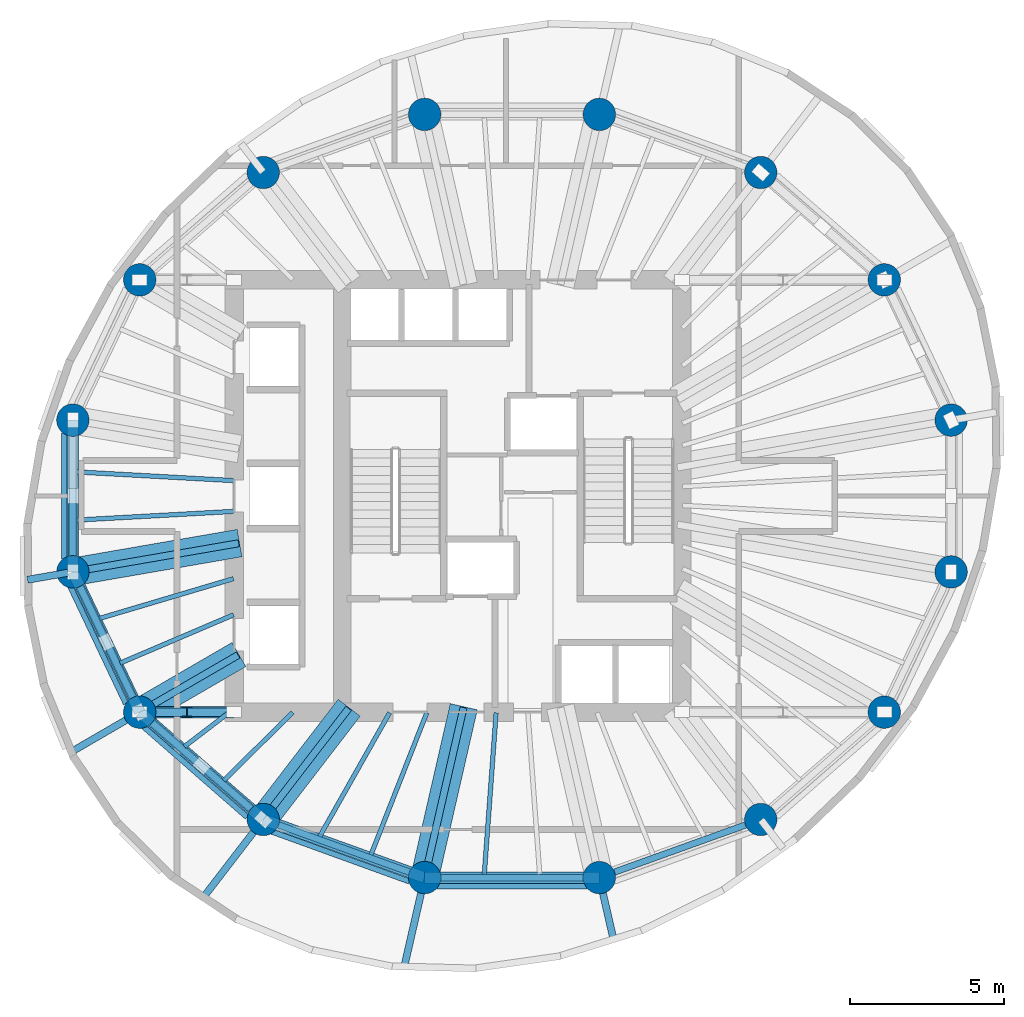
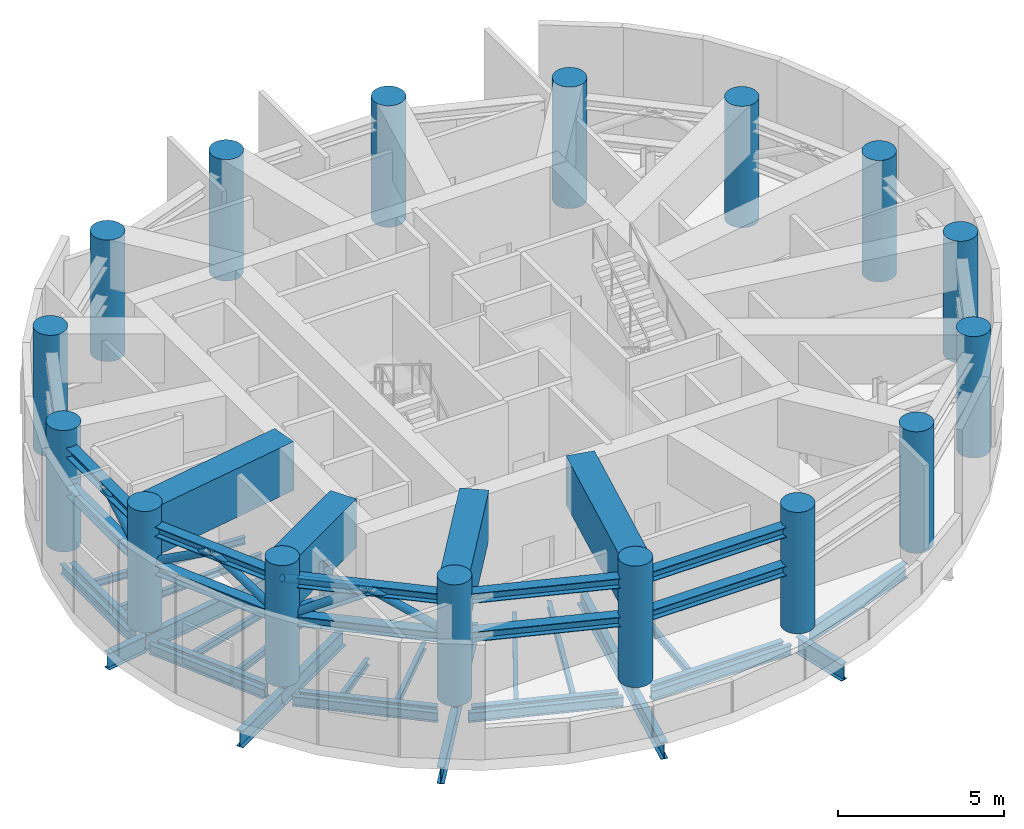
# One storey, part 1 of 8: 33 beams, 18 members, 16 columns.
"""IFC4 building model written with IfcOpenShell, lengths in metres."""

from ifc_helpers import new_model, si_unit, direction, frame, origin, origin_2d, place, context, subcontext, project, spatial, rectangle, circle, hollow_circle, i_section, extrude, material, material_profile, profile_set, type_object, element, save


model = new_model("IFC4")

# Units and contexts
model_context = context("Model", 3, precision=1e-05, world=origin(), true_north=direction((0.0, 1.0)))
body_context = subcontext(model_context, "Body", "Model", "MODEL_VIEW")
ifc_project = project(units=[si_unit("LENGTHUNIT", "METRE"), si_unit("AREAUNIT", "SQUARE_METRE"), si_unit("VOLUMEUNIT", "CUBIC_METRE"), si_unit("PLANEANGLEUNIT", "RADIAN"), si_unit("MASSUNIT", "GRAM", prefix="KILO")], contexts=[model_context])

# Site, building, storey
site_placement = place(None, origin())
site = spatial("IfcSite", under=ifc_project, at=site_placement, CompositionType="ELEMENT")
building_placement = place(site_placement, origin())
building = spatial("IfcBuilding", under=site, at=building_placement, Name="Veldorim Arch Residences", CompositionType="ELEMENT")
storey_placement = place(building_placement, frame((0.0, 0.0, 158.56005859375)))
storey = spatial("IfcBuildingStorey", under=building, at=storey_placement, Name="L47", CompositionType="ELEMENT", Elevation=158.56005859375)

# Columns
ifc_material_1 = material(Name="Concrete C50/60", Category="concrete")
ifc_material_profile_1 = material_profile(ifc_material_1, circle(Radius=0.52490234375, at=origin_2d()), Name="RC_CIRC_1050")
ifc_profile_set_1 = profile_set([ifc_material_profile_1], Name="Concrete C50/60")
column_type = type_object("IfcColumnType", Name="Structural Column RC_CIRC_1050", PredefinedType="COLUMN", material=ifc_profile_set_1)
for number, where, z_axis, x_axis, name in (
    (1, (46.221435546875, 26.4580078125, 0.0), (0.0, 0.0, 1.0), (1.0, 0.0, 0.0), "L47 TC-Z3-01 perimeter column"),
    (2, (44.056396484375, 31.000244140625, 0.0), (0.0, 0.0, 1.0), (1.0, 0.0, 0.0), "L47 TC-Z3-02 perimeter column"),
    (3, (40.055908203125, 34.4765625, 0.0), (0.0, 0.0, 1.0), (1.0, 0.0, 0.0), "L47 TC-Z3-03 perimeter column"),
    (4, (34.828857421875, 36.35791015625, 0.0), (0.0, 0.0, 1.0), (1.0, 0.0, 0.0), "L47 TC-Z3-04 perimeter column"),
    (5, (29.171142578125, 36.35791015625, 0.0), (0.0, 0.0, 1.0), (1.0, 0.0, 0.0), "L47 TC-Z3-05 perimeter column"),
    (6, (23.944091796875, 34.4765625, 0.0), (0.0, 0.0, 1.0), (1.0, 0.0, 0.0), "L47 TC-Z3-06 perimeter column"),
    (7, (19.943603515625, 31.000244140625, 0.0), (0.0, 0.0, 1.0), (1.0, 0.0, 0.0), "L47 TC-Z3-07 perimeter column"),
    (8, (17.778564453125, 26.4580078125, 0.0), (0.0, 0.0, 1.0), (1.0, 0.0, 0.0), "L47 TC-Z3-08 perimeter column"),
    (9, (17.778564453125, 21.5419921875, 0.0), (0.0, 0.0, 1.0), (1.0, 0.0, 0.0), "L47 TC-Z3-09 perimeter column"),
    (10, (19.943603515625, 16.999755859375, 0.0), (0.0, 0.0, 1.0), (1.0, 0.0, 0.0), "L47 TC-Z3-10 perimeter column"),
    (11, (23.944091796875, 13.5234375, 0.0), (0.0, 0.0, 1.0), (1.0, 0.0, 0.0), "L47 TC-Z3-11 perimeter column"),
    (12, (29.171142578125, 11.64208984375, 0.0), (0.0, 0.0, 1.0), (1.0, 0.0, 0.0), "L47 TC-Z3-12 perimeter column"),
    (13, (34.828857421875, 11.64208984375, 0.0), (0.0, 0.0, 1.0), (1.0, 0.0, 0.0), "L47 TC-Z3-13 perimeter column"),
    (14, (40.055908203125, 13.5234375, 0.0), (0.0, 0.0, 1.0), (1.0, 0.0, 0.0), "L47 TC-Z3-14 perimeter column"),
    (15, (44.056396484375, 16.999755859375, 0.0), (0.0, 0.0, 1.0), (1.0, 0.0, 0.0), "L47 TC-Z3-15 perimeter column"),
    (16, (46.221435546875, 21.5419921875, 0.0), (0.0, 0.0, 1.0), (1.0, 0.0, 0.0), "L47 TC-Z3-16 perimeter column"),
):
    element("IfcColumn", number, at=place(storey_placement, frame(where, z_axis=z_axis, x_axis=x_axis)), inside=storey, type_object=column_type, Name=name, PredefinedType="COLUMN", context=body_context, shape_type="SweptSolid", body=[
        extrude(circle(Radius=0.52490234375, at=origin_2d()), origin(), (0.0, 0.0, 1.0), 4.47998046875),
    ])

# Beams
ifc_material_2 = material(Name="Concrete C50/60", Category="concrete")
ifc_material_profile_2 = material_profile(ifc_material_2, rectangle(XDim=0.89990234375, YDim=1.800048828125, at=origin_2d()), Name="RC_RECT_900x1800")
ifc_profile_set_2 = profile_set([ifc_material_profile_2], Name="Concrete C50/60")
beam_type_1 = type_object("IfcBeamType", Name="Reinforced Concrete TRANSFER GIRDER RC_RECT_900x1800", PredefinedType="USERDEFINED", material=ifc_profile_set_2)
beam_1_placement = place(storey_placement, frame((23.177490234375, 22.47509765625, 3.579833984375), z_axis=(-0.985391085562, -0.170306806956, 0.0), x_axis=(0.170306806956, -0.985391085562, 0.0)))
element("IfcBeam", 17, at=beam_1_placement, inside=storey, type_object=beam_type_1, Name="L47 zone-setback radial transfer girder 09", ObjectType="TRANSFER GIRDER", PredefinedType="USERDEFINED", context=body_context, shape_type="SweptSolid", body=[
    extrude(rectangle(XDim=0.89990234375, YDim=1.800048828125, at=origin_2d()), origin(), (0.0, 0.0, 1.0), 5.47900390625),
])
beam_2_placement = place(storey_placement, frame((23.15576171875, 18.86474609375, 3.579833984375), z_axis=(-0.864804598535, -0.502108560326, 0.0), x_axis=(0.502108560326, -0.864804598535, 0.0)))
element("IfcBeam", 18, at=beam_2_placement, inside=storey, type_object=beam_type_1, Name="L47 zone-setback radial transfer girder 10", ObjectType="TRANSFER GIRDER", PredefinedType="USERDEFINED", context=body_context, shape_type="SweptSolid", body=[
    extrude(rectangle(XDim=0.89990234375, YDim=1.800048828125, at=origin_2d()), origin(), (0.0, 0.0, 1.0), 3.71435546875),
])
beam_3_placement = place(storey_placement, frame((26.72705078125, 17.142578125, 3.579833984375), z_axis=(-0.609573781427, -0.792729339054, 0.0), x_axis=(0.792729339054, -0.609573781427, 0.0)))
element("IfcBeam", 19, at=beam_3_placement, inside=storey, type_object=beam_type_1, Name="L47 zone-setback radial transfer girder 11", ObjectType="TRANSFER GIRDER", PredefinedType="USERDEFINED", context=body_context, shape_type="SweptSolid", body=[
    extrude(rectangle(XDim=0.89990234375, YDim=1.800048828125, at=origin_2d()), origin(), (0.0, 0.0, 1.0), 4.5654296875),
])
beam_4_placement = place(storey_placement, frame((30.43798828125, 17.175537109375, 3.579833984375), z_axis=(-0.223169286535, -0.974779703086, 0.0), x_axis=(0.974779703086, -0.223169286535, 0.0)))
element("IfcBeam", 20, at=beam_4_placement, inside=storey, type_object=beam_type_1, Name="L47 zone-setback radial transfer girder 12", ObjectType="TRANSFER GIRDER", PredefinedType="USERDEFINED", context=body_context, shape_type="SweptSolid", body=[
    extrude(rectangle(XDim=0.89990234375, YDim=1.800048828125, at=origin_2d()), origin(), (0.0, 0.0, 1.0), 5.676513671875),
])
ifc_material_3 = material(Name="Steel S355", Category="steel")
ifc_material_profile_3 = material_profile(ifc_material_3, i_section(OverallWidth=0.2099609375, OverallDepth=0.53662109375, WebThickness=0.0107421875, FlangeThickness=0.017333984375, at=origin_2d()), Name="UB533x210x101")
ifc_profile_set_3 = profile_set([ifc_material_profile_3], Name="Steel S355")
beam_type_2 = type_object("IfcBeamType", Name="Structural Steel Beam UB533x210x101", PredefinedType="BEAM", material=ifc_profile_set_3)
beam_5_placement = place(storey_placement, frame((17.778564453125, 25.93310546875, -0.66845703125), z_axis=(0.0, -1.0, 0.0), x_axis=(1.0, 0.0, 0.0)))
element("IfcBeam", 21, at=beam_5_placement, inside=storey, type_object=beam_type_2, Name="L47 perimeter ring tie beam 08", PredefinedType="BEAM", context=body_context, shape_type="SweptSolid", body=[
    extrude(i_section(OverallWidth=0.2099609375, OverallDepth=0.53662109375, WebThickness=0.0107421875, FlangeThickness=0.017333984375, at=origin_2d()), origin(), (0.0, 0.0, 1.0), 3.8662109375),
])
beam_6_placement = place(storey_placement, frame((18.00439453125, 21.068115234375, -0.66845703125), z_axis=(0.43028577851, -0.902692721147, 0.0), x_axis=(0.902692721147, 0.43028577851, 0.0)))
element("IfcBeam", 22, at=beam_6_placement, inside=storey, type_object=beam_type_2, Name="L47 perimeter ring tie beam 09", PredefinedType="BEAM", context=body_context, shape_type="SweptSolid", body=[
    extrude(i_section(OverallWidth=0.2099609375, OverallDepth=0.53662109375, WebThickness=0.0107421875, FlangeThickness=0.017333984375, at=origin_2d()), origin(), (0.0, 0.0, 1.0), 3.98193359375),
])
beam_7_placement = place(storey_placement, frame((20.340087890625, 16.655517578125, -0.66845703125), z_axis=(0.754810789581, -0.655942582802, 0.0), x_axis=(0.655942582802, 0.754810789581, 0.0)))
element("IfcBeam", 23, at=beam_7_placement, inside=storey, type_object=beam_type_2, Name="L47 perimeter ring tie beam 10", PredefinedType="BEAM", context=body_context, shape_type="SweptSolid", body=[
    extrude(i_section(OverallWidth=0.2099609375, OverallDepth=0.53662109375, WebThickness=0.0107421875, FlangeThickness=0.017333984375, at=origin_2d()), origin(), (0.0, 0.0, 1.0), 4.249755859375),
])
beam_8_placement = place(storey_placement, frame((24.438232421875, 13.345703125, -0.66845703125), z_axis=(0.940899155006, -0.338686846673, 0.0), x_axis=(0.338686846673, 0.940899155006, 0.0)))
element("IfcBeam", 24, at=beam_8_placement, inside=storey, type_object=beam_type_2, Name="L47 perimeter ring tie beam 11", PredefinedType="BEAM", context=body_context, shape_type="SweptSolid", body=[
    extrude(i_section(OverallWidth=0.2099609375, OverallDepth=0.53662109375, WebThickness=0.0107421875, FlangeThickness=0.017333984375, at=origin_2d()), origin(), (0.0, 0.0, 1.0), 4.50537109375),
])
beam_9_placement = place(storey_placement, frame((29.6962890625, 11.64208984375, -0.66845703125), z_axis=(1.0, 0.0, 0.0), x_axis=(0.0, 1.0, 0.0)))
element("IfcBeam", 25, at=beam_9_placement, inside=storey, type_object=beam_type_2, Name="L47 perimeter ring tie beam 12", PredefinedType="BEAM", context=body_context, shape_type="SweptSolid", body=[
    extrude(i_section(OverallWidth=0.2099609375, OverallDepth=0.53662109375, WebThickness=0.0107421875, FlangeThickness=0.017333984375, at=origin_2d()), origin(), (0.0, 0.0, 1.0), 4.607421875),
])
beam_10_placement = place(storey_placement, frame((35.32275390625, 11.81982421875, -0.66845703125), z_axis=(0.940899155006, 0.338686846673, 0.0), x_axis=(-0.338686846673, 0.940899155006, 0.0)))
element("IfcBeam", 26, at=beam_10_placement, inside=storey, type_object=beam_type_2, Name="L47 perimeter ring tie beam 13", PredefinedType="BEAM", context=body_context, shape_type="SweptSolid", body=[
    extrude(i_section(OverallWidth=0.2099609375, OverallDepth=0.53662109375, WebThickness=0.0107421875, FlangeThickness=0.017333984375, at=origin_2d()), origin(), (0.0, 0.0, 1.0), 4.50537109375),
])
ifc_material_4 = material(Name="Steel S355", Category="steel")
ifc_material_profile_4 = material_profile(ifc_material_4, i_section(OverallWidth=0.22900390625, OverallDepth=0.6123046875, WebThickness=0.011962890625, FlangeThickness=0.01953125, at=origin_2d()), Name="UB610x229x125")
ifc_profile_set_4 = profile_set([ifc_material_profile_4], Name="Steel S355")
beam_type_3 = type_object("IfcBeamType", Name="Structural Steel Beam UB610x229x125", PredefinedType="BEAM", material=ifc_profile_set_4)
beam_11_placement = place(storey_placement, frame((23.147705078125, 22.469970703125, -0.7060546875), z_axis=(-0.985390445301, -0.170310511449, 0.0), x_axis=(0.170310511449, -0.985390445301, 0.0)))
element("IfcBeam", 27, at=beam_11_placement, inside=storey, type_object=beam_type_3, Name="L47 radial floor girder 09", PredefinedType="BEAM", context=body_context, shape_type="SweptSolid", body=[
    extrude(i_section(OverallWidth=0.22900390625, OverallDepth=0.6123046875, WebThickness=0.011962890625, FlangeThickness=0.01953125, at=origin_2d()), origin(), (0.0, 0.0, 1.0), 5.4287109375),
])
beam_12_placement = place(storey_placement, frame((17.7587890625, 21.53857421875, -0.7060546875), z_axis=(-0.98537946954, -0.170374003328, 0.0), x_axis=(0.170374003328, -0.98537946954, 0.0)))
element("IfcBeam", 28, at=beam_12_placement, inside=storey, type_object=beam_type_3, Name="L47 radial edge cantilever girder 09", PredefinedType="BEAM", context=body_context, shape_type="SweptSolid", body=[
    extrude(i_section(OverallWidth=0.22900390625, OverallDepth=0.6123046875, WebThickness=0.011962890625, FlangeThickness=0.01953125, at=origin_2d()), origin(), (0.0, 0.0, 1.0), 1.47021484375),
])
beam_13_placement = place(storey_placement, frame((23.129638671875, 18.849609375, -0.7060546875), z_axis=(-0.864794546612, -0.502125872815, 0.0), x_axis=(0.502125872815, -0.864794546612, 0.0)))
element("IfcBeam", 29, at=beam_13_placement, inside=storey, type_object=beam_type_3, Name="L47 radial floor girder 10", PredefinedType="BEAM", context=body_context, shape_type="SweptSolid", body=[
    extrude(i_section(OverallWidth=0.22900390625, OverallDepth=0.6123046875, WebThickness=0.011962890625, FlangeThickness=0.01953125, at=origin_2d()), origin(), (0.0, 0.0, 1.0), 3.6640625),
])
beam_14_placement = place(storey_placement, frame((19.926513671875, 16.98974609375, -0.7060546875), z_axis=(-0.86478358533, -0.502144750588, 0.0), x_axis=(0.502144750588, -0.86478358533, 0.0)))
element("IfcBeam", 30, at=beam_14_placement, inside=storey, type_object=beam_type_3, Name="L47 radial edge cantilever girder 10", PredefinedType="BEAM", context=body_context, shape_type="SweptSolid", body=[
    extrude(i_section(OverallWidth=0.22900390625, OverallDepth=0.6123046875, WebThickness=0.011962890625, FlangeThickness=0.01953125, at=origin_2d()), origin(), (0.0, 0.0, 1.0), 2.551513671875),
])
beam_15_placement = place(storey_placement, frame((26.708740234375, 17.118896484375, -0.7060546875), z_axis=(-0.609559199361, -0.792740551804, 0.0), x_axis=(0.792740551804, -0.609559199361, 0.0)))
element("IfcBeam", 31, at=beam_15_placement, inside=storey, type_object=beam_type_3, Name="L47 radial floor girder 11", PredefinedType="BEAM", context=body_context, shape_type="SweptSolid", body=[
    extrude(i_section(OverallWidth=0.22900390625, OverallDepth=0.6123046875, WebThickness=0.011962890625, FlangeThickness=0.01953125, at=origin_2d()), origin(), (0.0, 0.0, 1.0), 4.515380859375),
])
beam_16_placement = place(storey_placement, frame((23.931884765625, 13.507568359375, -0.7060546875), z_axis=(-0.609539396636, -0.79275577825, 0.0), x_axis=(0.79275577825, -0.609539396636, 0.0)))
element("IfcBeam", 32, at=beam_16_placement, inside=storey, type_object=beam_type_3, Name="L47 radial edge cantilever girder 11", PredefinedType="BEAM", context=body_context, shape_type="SweptSolid", body=[
    extrude(i_section(OverallWidth=0.22900390625, OverallDepth=0.6123046875, WebThickness=0.011962890625, FlangeThickness=0.01953125, at=origin_2d()), origin(), (0.0, 0.0, 1.0), 3.16748046875),
])
beam_17_placement = place(storey_placement, frame((30.43115234375, 17.146240234375, -0.7060546875), z_axis=(-0.223119342184, -0.974791136164, 0.0), x_axis=(0.974791136164, -0.223119342184, 0.0)))
element("IfcBeam", 33, at=beam_17_placement, inside=storey, type_object=beam_type_3, Name="L47 radial floor girder 12", PredefinedType="BEAM", context=body_context, shape_type="SweptSolid", body=[
    extrude(i_section(OverallWidth=0.22900390625, OverallDepth=0.6123046875, WebThickness=0.011962890625, FlangeThickness=0.01953125, at=origin_2d()), origin(), (0.0, 0.0, 1.0), 5.62646484375),
])
beam_18_placement = place(storey_placement, frame((29.166748046875, 11.62255859375, -0.7060546875), z_axis=(-0.223141787616, -0.974785998371, 0.0), x_axis=(0.974785998371, -0.223141787616, 0.0)))
element("IfcBeam", 34, at=beam_18_placement, inside=storey, type_object=beam_type_3, Name="L47 radial edge cantilever girder 12", PredefinedType="BEAM", context=body_context, shape_type="SweptSolid", body=[
    extrude(i_section(OverallWidth=0.22900390625, OverallDepth=0.6123046875, WebThickness=0.011962890625, FlangeThickness=0.01953125, at=origin_2d()), origin(), (0.0, 0.0, 1.0), 2.94873046875),
])
beam_19_placement = place(storey_placement, frame((34.833251953125, 11.62255859375, -0.7060546875), z_axis=(0.223162872011, -0.974781171626, 0.0), x_axis=(0.974781171626, 0.223162872011, 0.0)))
element("IfcBeam", 35, at=beam_19_placement, inside=storey, type_object=beam_type_3, Name="L47 radial edge cantilever girder 13", PredefinedType="BEAM", context=body_context, shape_type="SweptSolid", body=[
    extrude(i_section(OverallWidth=0.22900390625, OverallDepth=0.6123046875, WebThickness=0.011962890625, FlangeThickness=0.01953125, at=origin_2d()), origin(), (0.0, 0.0, 1.0), 2.039306640625),
])
ifc_material_5 = material(Name="Steel S355", Category="steel")
ifc_material_profile_5 = material_profile(ifc_material_5, i_section(OverallWidth=0.146484375, OverallDepth=0.256103515625, WebThickness=0.00634765625, FlangeThickness=0.010986328125, at=origin_2d()), Name="UB254x146x37")
ifc_profile_set_5 = profile_set([ifc_material_profile_5], Name="Steel S355")
beam_type_4 = type_object("IfcBeamType", Name="Structural Steel Joist UB254x146x37", PredefinedType="JOIST", material=ifc_profile_set_5)
for number, where, z_axis, x_axis, name in (
    (36, (22.97998046875, 24.498779296875, -0.528076171875), (-0.998472994317, 0.055242009562, 0.0), (-0.055242009562, -0.998472994317, 0.0), "L47 secondary radial floor joist 08-1"),
    (37, (22.97998046875, 23.501220703125, -0.528076171875), (-0.998472994317, -0.055242009562, 0.0), (0.055242009562, -0.998472994317, 0.0), "L47 secondary radial floor joist 08-2"),
):
    element("IfcBeam", number, at=place(storey_placement, frame(where, z_axis=z_axis, x_axis=x_axis)), inside=storey, type_object=beam_type_4, Name=name, PredefinedType="JOIST", context=body_context, shape_type="SweptSolid", body=[
        extrude(i_section(OverallWidth=0.146484375, OverallDepth=0.256103515625, WebThickness=0.00634765625, FlangeThickness=0.010986328125, at=origin_2d()), origin(), (0.0, 0.0, 1.0), 5.10009765625),
    ])
beam_20_placement = place(storey_placement, frame((22.980712890625, 21.322998046875, -0.528076171875), z_axis=(-0.95868163277, -0.284481154014, 0.0), x_axis=(0.284481154014, -0.95868163277, 0.0)))
element("IfcBeam", 38, at=beam_20_placement, inside=storey, type_object=beam_type_4, Name="L47 secondary radial floor joist 09-1", PredefinedType="JOIST", context=body_context, shape_type="SweptSolid", body=[
    extrude(i_section(OverallWidth=0.146484375, OverallDepth=0.256103515625, WebThickness=0.00634765625, FlangeThickness=0.010986328125, at=origin_2d()), origin(), (0.0, 0.0, 1.0), 4.54931640625),
])
beam_21_placement = place(storey_placement, frame((22.981689453125, 20.15380859375, -0.528076171875), z_axis=(-0.919823469329, -0.392332493265, 0.0), x_axis=(0.392332493265, -0.919823469329, 0.0)))
element("IfcBeam", 39, at=beam_21_placement, inside=storey, type_object=beam_type_4, Name="L47 secondary radial floor joist 09-2", PredefinedType="JOIST", context=body_context, shape_type="SweptSolid", body=[
    extrude(i_section(OverallWidth=0.146484375, OverallDepth=0.256103515625, WebThickness=0.00634765625, FlangeThickness=0.010986328125, at=origin_2d()), origin(), (0.0, 0.0, 1.0), 3.993896484375),
])
beam_22_placement = place(storey_placement, frame((22.984130859375, 17.10302734375, -0.528076171875), z_axis=(-0.794312925337, -0.607508828448, 0.0), x_axis=(0.607508828448, -0.794312925337, 0.0)))
element("IfcBeam", 40, at=beam_22_placement, inside=storey, type_object=beam_type_4, Name="L47 secondary radial floor joist 10-1", PredefinedType="JOIST", context=body_context, shape_type="SweptSolid", body=[
    extrude(i_section(OverallWidth=0.146484375, OverallDepth=0.256103515625, WebThickness=0.00634765625, FlangeThickness=0.010986328125, at=origin_2d()), origin(), (0.0, 0.0, 1.0), 2.006103515625),
])
beam_23_placement = place(storey_placement, frame((24.894287109375, 16.986083984375, -0.528076171875), z_axis=(-0.711683379532, -0.702500368183, 0.0), x_axis=(0.702500368183, -0.711683379532, 0.0)))
element("IfcBeam", 41, at=beam_23_placement, inside=storey, type_object=beam_type_4, Name="L47 secondary radial floor joist 10-2", PredefinedType="JOIST", context=body_context, shape_type="SweptSolid", body=[
    extrude(i_section(OverallWidth=0.146484375, OverallDepth=0.256103515625, WebThickness=0.00634765625, FlangeThickness=0.010986328125, at=origin_2d()), origin(), (0.0, 0.0, 1.0), 3.13720703125),
])
beam_24_placement = place(storey_placement, frame((28.03662109375, 16.982666015625, -0.528076171875), z_axis=(-0.491815801586, -0.870699269157, 0.0), x_axis=(0.870699269157, -0.491815801586, 0.0)))
element("IfcBeam", 42, at=beam_24_placement, inside=storey, type_object=beam_type_4, Name="L47 secondary radial floor joist 11-1", PredefinedType="JOIST", context=body_context, shape_type="SweptSolid", body=[
    extrude(i_section(OverallWidth=0.146484375, OverallDepth=0.256103515625, WebThickness=0.00634765625, FlangeThickness=0.010986328125, at=origin_2d()), origin(), (0.0, 0.0, 1.0), 4.59814453125),
])
beam_25_placement = place(storey_placement, frame((29.2412109375, 16.9814453125, -0.528076171875), z_axis=(-0.365777738491, -0.930702232739, 0.0), x_axis=(0.930702232739, -0.365777738491, 0.0)))
element("IfcBeam", 43, at=beam_25_placement, inside=storey, type_object=beam_type_4, Name="L47 secondary radial floor joist 11-2", PredefinedType="JOIST", context=body_context, shape_type="SweptSolid", body=[
    extrude(i_section(OverallWidth=0.146484375, OverallDepth=0.256103515625, WebThickness=0.00634765625, FlangeThickness=0.010986328125, at=origin_2d()), origin(), (0.0, 0.0, 1.0), 4.9404296875),
])
beam_26_placement = place(storey_placement, frame((31.48583984375, 16.97998046875, -0.528076171875), z_axis=(-0.073060364166, -0.997327520521, 0.0), x_axis=(0.997327520521, -0.073060364166, 0.0)))
element("IfcBeam", 44, at=beam_26_placement, inside=storey, type_object=beam_type_4, Name="L47 secondary radial floor joist 12-1", PredefinedType="JOIST", context=body_context, shape_type="SweptSolid", body=[
    extrude(i_section(OverallWidth=0.146484375, OverallDepth=0.256103515625, WebThickness=0.00634765625, FlangeThickness=0.010986328125, at=origin_2d()), origin(), (0.0, 0.0, 1.0), 5.242919921875),
])
ifc_material_6 = material(Name="Steel S355", Category="steel")
ifc_material_profile_6 = material_profile(ifc_material_6, i_section(OverallWidth=0.172119140625, OverallDepth=0.35791015625, WebThickness=0.008056640625, FlangeThickness=0.012939453125, at=origin_2d()), Name="UB356x171x57")
ifc_profile_set_6 = profile_set([ifc_material_profile_6], Name="Steel S355")
beam_type_5 = type_object("IfcBeamType", Name="Structural Steel Spandrel UB356x171x57", PredefinedType="SPANDREL", material=ifc_profile_set_6)
beam_27_placement = place(storey_placement, frame((17.494140625, 26.04541015625, -0.59912109375), z_axis=(0.0, -1.0, 0.0), x_axis=(1.0, 0.0, 0.0)))
element("IfcBeam", 45, at=beam_27_placement, inside=storey, type_object=beam_type_5, Name="L47 perimeter chord spandrel beam 08", PredefinedType="SPANDREL", context=body_context, shape_type="SweptSolid", body=[
    extrude(i_section(OverallWidth=0.172119140625, OverallDepth=0.35791015625, WebThickness=0.008056640625, FlangeThickness=0.012939453125, at=origin_2d()), origin(), (0.0, 0.0, 1.0), 4.0908203125),
])
beam_28_placement = place(storey_placement, frame((17.692138671875, 21.0751953125, -0.59912109375), z_axis=(0.428579957662, -0.903503857153, 0.0), x_axis=(0.903503857153, 0.428579957662, 0.0)))
element("IfcBeam", 46, at=beam_28_placement, inside=storey, type_object=beam_type_5, Name="L47 perimeter chord spandrel beam 09", PredefinedType="SPANDREL", context=body_context, shape_type="SweptSolid", body=[
    extrude(i_section(OverallWidth=0.172119140625, OverallDepth=0.35791015625, WebThickness=0.008056640625, FlangeThickness=0.012939453125, at=origin_2d()), origin(), (0.0, 0.0, 1.0), 4.209228515625),
])
beam_29_placement = place(storey_placement, frame((20.0419921875, 16.55078125, -0.59912109375), z_axis=(0.753014748982, -0.658003638148, 0.0), x_axis=(0.658003638148, 0.753014748982, 0.0)))
element("IfcBeam", 47, at=beam_29_placement, inside=storey, type_object=beam_type_5, Name="L47 perimeter chord spandrel beam 10", PredefinedType="SPANDREL", context=body_context, shape_type="SweptSolid", body=[
    extrude(i_section(OverallWidth=0.172119140625, OverallDepth=0.35791015625, WebThickness=0.008056640625, FlangeThickness=0.012939453125, at=origin_2d()), origin(), (0.0, 0.0, 1.0), 4.486572265625),
])
beam_30_placement = place(storey_placement, frame((24.20263671875, 13.13720703125, -0.59912109375), z_axis=(0.940212553113, -0.340588248429, 0.0), x_axis=(0.340588248429, 0.940212553113, 0.0)))
element("IfcBeam", 48, at=beam_30_placement, inside=storey, type_object=beam_type_5, Name="L47 perimeter chord spandrel beam 11", PredefinedType="SPANDREL", context=body_context, shape_type="SweptSolid", body=[
    extrude(i_section(OverallWidth=0.172119140625, OverallDepth=0.35791015625, WebThickness=0.008056640625, FlangeThickness=0.012939453125, at=origin_2d()), origin(), (0.0, 0.0, 1.0), 4.75390625),
])
beam_31_placement = place(storey_placement, frame((29.56884765625, 11.360595703125, -0.59912109375), z_axis=(1.0, 0.0, 0.0), x_axis=(0.0, 1.0, 0.0)))
element("IfcBeam", 49, at=beam_31_placement, inside=storey, type_object=beam_type_5, Name="L47 perimeter chord spandrel beam 12", PredefinedType="SPANDREL", context=body_context, shape_type="SweptSolid", body=[
    extrude(i_section(OverallWidth=0.172119140625, OverallDepth=0.35791015625, WebThickness=0.008056640625, FlangeThickness=0.012939453125, at=origin_2d()), origin(), (0.0, 0.0, 1.0), 4.8623046875),
])

# Members
ifc_material_7 = material(Name="Steel S460", Category="steel")
ifc_material_profile_7 = material_profile(ifc_material_7, hollow_circle(Radius=0.136474609375, WallThickness=0.01611328125, at=origin_2d()), Name="CHS273x16")
ifc_profile_set_7 = profile_set([ifc_material_profile_7], Name="Steel S460")
member_type_1 = type_object("IfcMemberType", Name="Truss Brace CHS273x16", PredefinedType="BRACE", material=ifc_profile_set_7)
member_1_placement = place(storey_placement, frame((17.778564453125, 21.5419921875, 2.239990234375), z_axis=(0.0, 0.865904809514, 0.500208817256), x_axis=(-1.0, 0.0, 0.0)))
element("IfcMember", 50, at=member_1_placement, inside=storey, type_object=member_type_1, Name="L47 belt truss chevron brace 08B", PredefinedType="BRACE", context=body_context, shape_type="SweptSolid", body=[
    extrude(hollow_circle(Radius=0.136474609375, WallThickness=0.01611328125, at=origin_2d()), origin(), (0.0, 0.0, 1.0), 2.838623046875),
])
member_2_placement = place(storey_placement, frame((17.778564453125, 21.5419921875, 2.239990234375), z_axis=(0.374698548203, -0.786157102826, 0.49148551113), x_axis=(0.902709800197, 0.430249946692, 0.0)))
element("IfcMember", 51, at=member_2_placement, inside=storey, type_object=member_type_1, Name="L47 belt truss chevron brace 09A", PredefinedType="BRACE", context=body_context, shape_type="SweptSolid", body=[
    extrude(hollow_circle(Radius=0.136474609375, WallThickness=0.01611328125, at=origin_2d()), origin(), (0.0, 0.0, 1.0), 2.88916015625),
])
member_3_placement = place(storey_placement, frame((19.943603515625, 16.999755859375, 2.239990234375), z_axis=(-0.374723442371, 0.786124822041, 0.491518164373), x_axis=(-0.902691835336, -0.43028763684, 0.0)))
element("IfcMember", 52, at=member_3_placement, inside=storey, type_object=member_type_1, Name="L47 belt truss chevron brace 09B", PredefinedType="BRACE", context=body_context, shape_type="SweptSolid", body=[
    extrude(hollow_circle(Radius=0.136474609375, WallThickness=0.01611328125, at=origin_2d()), origin(), (0.0, 0.0, 1.0), 2.888916015625),
])
member_4_placement = place(storey_placement, frame((19.943603515625, 16.999755859375, 2.239990234375), z_axis=(0.665392824184, -0.578097573269, 0.472287608672), x_axis=(0.655852490145, 0.754889072096, 0.0)))
element("IfcMember", 53, at=member_4_placement, inside=storey, type_object=member_type_1, Name="L47 belt truss chevron brace 10A", PredefinedType="BRACE", context=body_context, shape_type="SweptSolid", body=[
    extrude(hollow_circle(Radius=0.136474609375, WallThickness=0.01611328125, at=origin_2d()), origin(), (0.0, 0.0, 1.0), 3.006591796875),
])
member_5_placement = place(storey_placement, frame((23.944091796875, 13.5234375, 2.239990234375), z_axis=(-0.665271067353, 0.578214111274, 0.47231647067), x_axis=(-0.655996212303, -0.754764181347, 0.0)))
element("IfcMember", 54, at=member_5_placement, inside=storey, type_object=member_type_1, Name="L47 belt truss chevron brace 10B", PredefinedType="BRACE", context=body_context, shape_type="SweptSolid", body=[
    extrude(hollow_circle(Radius=0.136474609375, WallThickness=0.01611328125, at=origin_2d()), origin(), (0.0, 0.0, 1.0), 3.00634765625),
])
member_6_placement = place(storey_placement, frame((23.0, 17.0, 2.239990234375), z_axis=(-0.906909131753, -7.2442618e-05, 0.4213262649), x_axis=(7.9878584e-05, -0.99999999681, 0.0)))
element("IfcMember", 55, at=member_6_placement, inside=storey, type_object=member_type_1, Name="L47 outrigger truss diagonal 04", PredefinedType="BRACE", context=body_context, shape_type="SweptSolid", body=[
    extrude(hollow_circle(Radius=0.136474609375, WallThickness=0.01611328125, at=origin_2d()), origin(), (0.0, 0.0, 1.0), 3.3701171875),
])
ifc_material_8 = material(Name="Steel S460", Category="steel")
ifc_material_profile_8 = material_profile(ifc_material_8, i_section(OverallWidth=0.37060546875, OverallDepth=0.362060546875, WebThickness=0.01220703125, FlangeThickness=0.020751953125, at=origin_2d()), Name="UC356x368x153")
ifc_profile_set_8 = profile_set([ifc_material_profile_8], Name="Steel S460")
member_type_2 = type_object("IfcMemberType", Name="Truss Chord UC356x368x153", PredefinedType="CHORD", material=ifc_profile_set_8)
for number, where, z_axis, x_axis, name in (
    (56, (17.778564453125, 26.4580078125, 2.239990234375), (0.0, -1.0, 0.0), (1.0, 0.0, 0.0), "L47 belt truss bottom chord 08"),
    (57, (17.778564453125, 26.4580078125, 3.659912109375), (0.0, -1.0, 0.0), (1.0, 0.0, 0.0), "L47 belt truss top chord 08"),
):
    element("IfcMember", number, at=place(storey_placement, frame(where, z_axis=z_axis, x_axis=x_axis)), inside=storey, type_object=member_type_2, Name=name, PredefinedType="CHORD", context=body_context, shape_type="SweptSolid", body=[
        extrude(i_section(OverallWidth=0.37060546875, OverallDepth=0.362060546875, WebThickness=0.01220703125, FlangeThickness=0.020751953125, at=origin_2d()), origin(), (0.0, 0.0, 1.0), 4.916015625),
    ])
for number, where, z_axis, x_axis, name in (
    (58, (17.778564453125, 21.5419921875, 2.239990234375), (0.430268791034, -0.902700818357, 0.0), (0.902700818357, 0.430268791034, 0.0), "L47 belt truss bottom chord 09"),
    (59, (17.778564453125, 21.5419921875, 3.659912109375), (0.430268791034, -0.902700818357, 0.0), (0.902700818357, 0.430268791034, 0.0), "L47 belt truss top chord 09"),
):
    element("IfcMember", number, at=place(storey_placement, frame(where, z_axis=z_axis, x_axis=x_axis)), inside=storey, type_object=member_type_2, Name=name, PredefinedType="CHORD", context=body_context, shape_type="SweptSolid", body=[
        extrude(i_section(OverallWidth=0.37060546875, OverallDepth=0.362060546875, WebThickness=0.01220703125, FlangeThickness=0.020751953125, at=origin_2d()), origin(), (0.0, 0.0, 1.0), 5.03173828125),
    ])
for number, where, z_axis, x_axis, name in (
    (60, (19.943603515625, 16.999755859375, 2.239990234375), (0.754826632598, -0.655924351371, 0.0), (0.655924351371, 0.754826632598, 0.0), "L47 belt truss bottom chord 10"),
    (61, (19.943603515625, 16.999755859375, 3.659912109375), (0.754826632598, -0.655924351371, 0.0), (0.655924351371, 0.754826632598, 0.0), "L47 belt truss top chord 10"),
):
    element("IfcMember", number, at=place(storey_placement, frame(where, z_axis=z_axis, x_axis=x_axis)), inside=storey, type_object=member_type_2, Name=name, PredefinedType="CHORD", context=body_context, shape_type="SweptSolid", body=[
        extrude(i_section(OverallWidth=0.37060546875, OverallDepth=0.362060546875, WebThickness=0.01220703125, FlangeThickness=0.020751953125, at=origin_2d()), origin(), (0.0, 0.0, 1.0), 5.2998046875),
    ])
for number, where, z_axis, x_axis, name in (
    (62, (23.944091796875, 13.5234375, 2.239990234375), (0.940909819153, -0.338657219355, 0.0), (0.338657219355, 0.940909819153, 0.0), "L47 belt truss bottom chord 11"),
    (63, (23.944091796875, 13.5234375, 3.659912109375), (0.940909819153, -0.338657219355, 0.0), (0.338657219355, 0.940909819153, 0.0), "L47 belt truss top chord 11"),
):
    element("IfcMember", number, at=place(storey_placement, frame(where, z_axis=z_axis, x_axis=x_axis)), inside=storey, type_object=member_type_2, Name=name, PredefinedType="CHORD", context=body_context, shape_type="SweptSolid", body=[
        extrude(i_section(OverallWidth=0.37060546875, OverallDepth=0.362060546875, WebThickness=0.01220703125, FlangeThickness=0.020751953125, at=origin_2d()), origin(), (0.0, 0.0, 1.0), 5.555419921875),
    ])
for number, where, z_axis, x_axis, name in (
    (64, (29.171142578125, 11.64208984375, 2.239990234375), (1.0, 0.0, 0.0), (0.0, 1.0, 0.0), "L47 belt truss bottom chord 12"),
    (65, (29.171142578125, 11.64208984375, 3.659912109375), (1.0, 0.0, 0.0), (0.0, 1.0, 0.0), "L47 belt truss top chord 12"),
):
    element("IfcMember", number, at=place(storey_placement, frame(where, z_axis=z_axis, x_axis=x_axis)), inside=storey, type_object=member_type_2, Name=name, PredefinedType="CHORD", context=body_context, shape_type="SweptSolid", body=[
        extrude(i_section(OverallWidth=0.37060546875, OverallDepth=0.362060546875, WebThickness=0.01220703125, FlangeThickness=0.020751953125, at=origin_2d()), origin(), (0.0, 0.0, 1.0), 5.65771484375),
    ])
member_7_placement = place(storey_placement, frame((23.0, 17.0, 2.239990234375), z_axis=(-0.99999999681, -7.9878584e-05, 0.0), x_axis=(7.9878584e-05, -0.99999999681, 0.0)))
element("IfcMember", 66, at=member_7_placement, inside=storey, type_object=member_type_2, Name="L47 outrigger truss bottom chord 04", PredefinedType="CHORD", context=body_context, shape_type="SweptSolid", body=[
    extrude(i_section(OverallWidth=0.37060546875, OverallDepth=0.362060546875, WebThickness=0.01220703125, FlangeThickness=0.020751953125, at=origin_2d()), origin(), (0.0, 0.0, 1.0), 3.056396484375),
])
ifc_material_9 = material(Name="Steel S460", Category="steel")
ifc_material_profile_9 = material_profile(ifc_material_9, i_section(OverallWidth=0.311279296875, OverallDepth=0.3271484375, WebThickness=0.015869140625, FlangeThickness=0.02490234375, at=origin_2d()), Name="UC305x305x158")
ifc_profile_set_9 = profile_set([ifc_material_profile_9], Name="Steel S460")
member_type_3 = type_object("IfcMemberType", Name="Truss Post UC305x305x158", PredefinedType="POST", material=ifc_profile_set_9)
member_8_placement = place(storey_placement, frame((21.471923828125, 17.0, 2.239990234375), z_axis=(0.0, 0.0, 1.0), x_axis=(1.0, 0.0, 0.0)))
element("IfcMember", 67, at=member_8_placement, inside=storey, type_object=member_type_3, Name="L47 outrigger truss mid-post 04", PredefinedType="POST", context=body_context, shape_type="SweptSolid", body=[
    extrude(i_section(OverallWidth=0.311279296875, OverallDepth=0.3271484375, WebThickness=0.015869140625, FlangeThickness=0.02490234375, at=origin_2d()), origin(), (0.0, 0.0, 1.0), 1.419921875),
])

save(model, "model.ifc")
